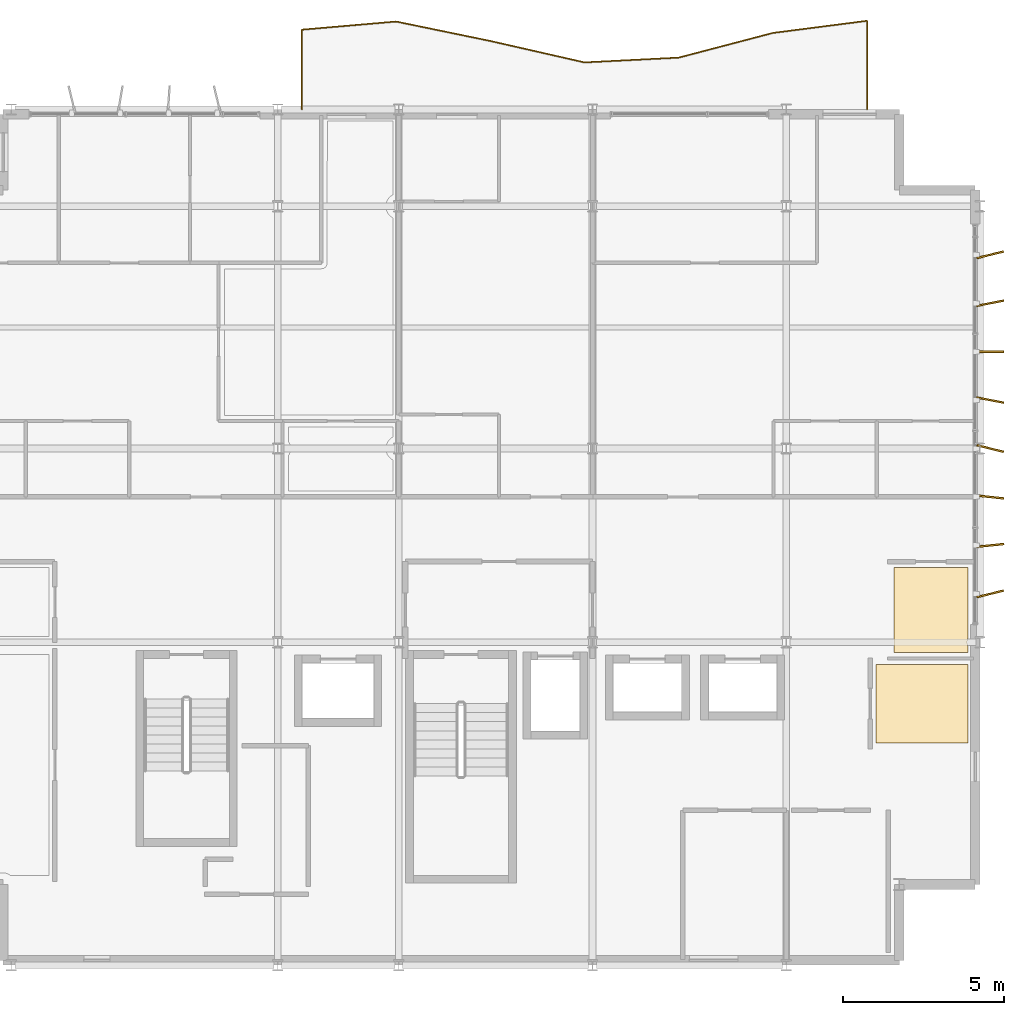
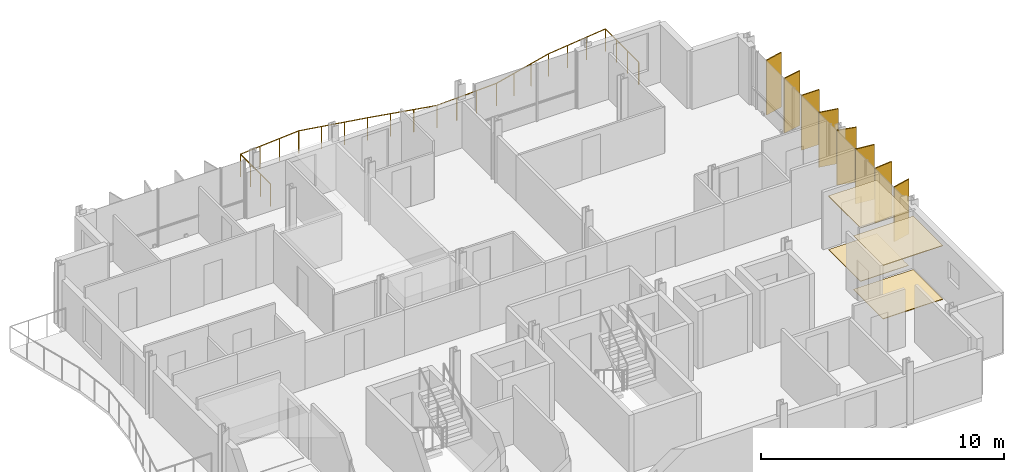
# One storey, part 13 of 13: 8 shading devices, 4 coverings, 1 railing.
"""IFC4 building model written with IfcOpenShell, lengths in metres."""

from ifc_helpers import new_model, si_unit, direction, frame, origin, origin_2d, place, context, subcontext, project, spatial, polyline, rectangle, circle, outline, extrude, material, layer, layer_set, type_object, element, save


model = new_model("IFC4")

# Units and contexts
model_context = context("Model", 3, precision=1e-05, world=origin(), true_north=direction((0.0, 1.0)))
body_context = subcontext(model_context, "Body", "Model", "MODEL_VIEW")
ifc_project = project(units=[si_unit("LENGTHUNIT", "METRE"), si_unit("AREAUNIT", "SQUARE_METRE"), si_unit("VOLUMEUNIT", "CUBIC_METRE"), si_unit("PLANEANGLEUNIT", "RADIAN"), si_unit("MASSUNIT", "GRAM", prefix="KILO")], contexts=[model_context])

# Site, building, storey
site_placement = place(None, origin())
site = spatial("IfcSite", under=ifc_project, at=site_placement, CompositionType="ELEMENT")
building_placement = place(site_placement, origin())
building = spatial("IfcBuilding", under=site, at=building_placement, Name="Brevholm Reach", CompositionType="ELEMENT")
storey_placement = place(building_placement, frame((0.0, 0.0, 224.199951171875)))
storey = spatial("IfcBuildingStorey", under=building, at=storey_placement, Name="L68", CompositionType="ELEMENT", Elevation=224.199951171875)

# Coverings
ifc_material_1 = material(Name="Perforated Mineral-Fibre Class-A Acoustic Suspended Ceiling", Category="gypsum")
ifc_layer_1 = layer(ifc_material_1, 0.044921875)
ifc_layer_set_1 = layer_set([ifc_layer_1], Name="Perforated Mineral-Fibre Class-A Acoustic Suspended Ceiling")
covering_type_1 = type_object("IfcCoveringType", Name="COV-CLG-AC", PredefinedType="CEILING", material=ifc_layer_set_1)
covering_1_placement = place(storey_placement, frame((0.0, 0.0, 2.675048828125)))
element("IfcCovering", 1, at=covering_1_placement, inside=storey, type_object=covering_type_1, Name="L68 Suspended Ceiling L68-21", PredefinedType="CEILING", context=body_context, shape_type="SweptSolid", body=[
    extrude(outline(polyline([(57.330078125, 12.31591796875), (59.6201171875, 12.31591796875), (59.6201171875, 10.123779296875), (59.6171875, 10.1162109375), (59.607666015625, 10.077880859375), (59.601806640625, 10.039306640625), (59.60009765625, 10.0), (59.601806640625, 9.960693359375), (59.607666015625, 9.922119140625), (59.6171875, 9.8837890625), (59.6201171875, 9.876220703125), (59.6201171875, 9.68408203125), (57.330078125, 9.68408203125), (57.330078125, 12.31591796875)])), origin(), (0.0, 0.0, 1.0), 0.044921875),
])
ifc_material_2 = material(Name="Moisture-Resistant Skimmed Gypsum Plasterboard Ceiling", Category="gypsum")
ifc_layer_2 = layer(ifc_material_2, 0.030029296875)
ifc_layer_set_2 = layer_set([ifc_layer_2], Name="Moisture-Resistant Skimmed Gypsum Plasterboard Ceiling")
covering_type_2 = type_object("IfcCoveringType", Name="COV-CLG-GYP", PredefinedType="CEILING", material=ifc_layer_set_2)
covering_2_placement = place(storey_placement, frame((0.0, 0.0, 2.68994140625)))
element("IfcCovering", 2, at=covering_2_placement, inside=storey, type_object=covering_type_2, Name="L68 Suspended Ceiling L68-19", PredefinedType="CEILING", context=body_context, shape_type="SweptSolid", body=[
    extrude(outline(polyline([(59.6201171875, 9.320068359375), (59.6201171875, 6.8798828125), (56.783935546875, 6.8798828125), (56.783935546875, 9.320068359375), (59.6201171875, 9.320068359375)])), origin(), (0.0, 0.0, 1.0), 0.030029296875),
])
ifc_material_3 = material(Name="Engineered European Oak Acoustic Plank Flooring", Category="timber")
ifc_layer_3 = layer(ifc_material_3, 0.02197265625)
ifc_layer_set_3 = layer_set([ifc_layer_3], Name="Engineered European Oak Acoustic Plank Flooring")
covering_type_3 = type_object("IfcCoveringType", Name="COV-FLR-OAK", PredefinedType="FLOORING", material=ifc_layer_set_3)
covering_3_placement = place(storey_placement, origin())
element("IfcCovering", 3, at=covering_3_placement, inside=storey, type_object=covering_type_3, Name="L68 Floor Finish L68-21", PredefinedType="FLOORING", context=body_context, shape_type="SweptSolid", body=[
    extrude(outline(polyline([(57.330078125, 12.31591796875), (59.6201171875, 12.31591796875), (59.6201171875, 10.123779296875), (59.6171875, 10.1162109375), (59.607666015625, 10.077880859375), (59.601806640625, 10.039306640625), (59.60009765625, 10.0), (59.601806640625, 9.960693359375), (59.607666015625, 9.922119140625), (59.6171875, 9.8837890625), (59.6201171875, 9.876220703125), (59.6201171875, 9.68408203125), (57.330078125, 9.68408203125), (57.330078125, 12.31591796875)])), origin(), (0.0, 0.0, 1.0), 0.02197265625),
])
ifc_material_4 = material(Name="Honed Portland-Aggregate Resin Terrazzo Flooring", Category="concrete")
ifc_layer_4 = layer(ifc_material_4, 0.031982421875)
ifc_layer_set_4 = layer_set([ifc_layer_4], Name="Honed Portland-Aggregate Resin Terrazzo Flooring")
covering_type_4 = type_object("IfcCoveringType", Name="COV-FLR-TRZ", PredefinedType="FLOORING", material=ifc_layer_set_4)
covering_4_placement = place(storey_placement, origin())
element("IfcCovering", 4, at=covering_4_placement, inside=storey, type_object=covering_type_4, Name="L68 Floor Finish L68-19", PredefinedType="FLOORING", context=body_context, shape_type="SweptSolid", body=[
    extrude(outline(polyline([(59.6201171875, 9.320068359375), (59.6201171875, 6.8798828125), (56.783935546875, 6.8798828125), (56.783935546875, 9.320068359375), (59.6201171875, 9.320068359375)])), origin(), (0.0, 0.0, 1.0), 0.031982421875),
])

# Railing
ifc_material_5 = material(Name="Brushed Stainless Steel EN 1.4401 and Laminated Glass", Category="steel")
railing_type = type_object("IfcRailingType", Name="RAL-BALC-1150", PredefinedType="BALUSTRADE", material=ifc_material_5)
railing_placement = place(storey_placement, frame((56.5, 26.5, 0.0)))
element("IfcRailing", 5, at=railing_placement, inside=storey, type_object=railing_type, Name="L68 Guard Balustrade RAL-L68-BAL-NE", PredefinedType="BALUSTRADE", context=body_context, shape_type="SweptSolid", body=[
    extrude(circle(Radius=0.02392578125, at=origin_2d()), frame((0.0, 0.0, 1.1259765625), z_axis=(0.0, 1.0, 0.0), x_axis=(-1.0, 0.0, 0.0)), (0.0, 0.0, 1.0), 2.746337890625),
    extrude(circle(Radius=0.02392578125, at=origin_2d()), frame((0.0, 2.746337890625, 1.1259765625), z_axis=(-0.991815212116, -0.12768157665, 0.0), x_axis=(0.12768157665, -0.991815212116, 0.0)), (0.0, 0.0, 1.0), 2.94091796875),
    extrude(circle(Radius=0.02392578125, at=origin_2d()), frame((-2.916748046875, 2.370849609375, 1.1259765625), z_axis=(-0.967306983138, -0.25360836022, 0.0), x_axis=(0.25360836022, -0.967306983138, 0.0)), (0.0, 0.0, 1.0), 3.01513671875),
    extrude(circle(Radius=0.02392578125, at=origin_2d()), frame((-5.833251953125, 1.606201171875, 1.1259765625), z_axis=(-0.998720239463, -0.050575520622, 0.0), x_axis=(0.050575520622, -0.998720239463, 0.0)), (0.0, 0.0, 1.0), 2.92041015625),
    extrude(circle(Radius=0.02392578125, at=origin_2d()), frame((-8.75, 1.45849609375, 1.1259765625), z_axis=(-0.975083925705, 0.221836286102, 0.0), x_axis=(-0.221836286102, -0.975083925705, 0.0)), (0.0, 0.0, 1.0), 2.9912109375),
    extrude(circle(Radius=0.02392578125, at=origin_2d()), frame((-11.666748046875, 2.1220703125, 1.1259765625), z_axis=(-0.979367411888, 0.202087784221, 0.0), x_axis=(-0.202087784221, -0.979367411888, 0.0)), (0.0, 0.0, 1.0), 2.97802734375),
    extrude(circle(Radius=0.02392578125, at=origin_2d()), frame((-14.583251953125, 2.723876953125, 1.1259765625), z_axis=(-0.996282713287, -0.086143805376, 0.0), x_axis=(0.086143805376, -0.996282713287, 0.0)), (0.0, 0.0, 1.0), 2.927734375),
    extrude(circle(Radius=0.02392578125, at=origin_2d()), frame((-17.5, 2.4716796875, 1.1259765625), z_axis=(0.0, -1.0, 0.0), x_axis=(1.0, 0.0, 0.0)), (0.0, 0.0, 1.0), 2.4716796875),
    extrude(circle(Radius=0.02099609375, at=origin_2d()), origin(), (0.0, 0.0, 1.0), 1.101806640625),
    extrude(circle(Radius=0.02099609375, at=origin_2d()), frame((0.0, 0.91552734375, 0.0)), (0.0, 0.0, 1.0), 1.101806640625),
    extrude(circle(Radius=0.02099609375, at=origin_2d()), frame((0.0, 1.830810546875, 0.0)), (0.0, 0.0, 1.0), 1.101806640625),
    extrude(circle(Radius=0.02099609375, at=origin_2d()), frame((0.0, 2.746337890625, 0.0)), (0.0, 0.0, 1.0), 1.101806640625),
    extrude(circle(Radius=0.02099609375, at=origin_2d()), frame((-0.97216796875, 2.62109375, 0.0)), (0.0, 0.0, 1.0), 1.101806640625),
    extrude(circle(Radius=0.02099609375, at=origin_2d()), frame((-1.944580078125, 2.49609375, 0.0)), (0.0, 0.0, 1.0), 1.101806640625),
    extrude(circle(Radius=0.02099609375, at=origin_2d()), frame((-2.916748046875, 2.370849609375, 0.0)), (0.0, 0.0, 1.0), 1.101806640625),
    extrude(circle(Radius=0.02099609375, at=origin_2d()), frame((-3.888916015625, 2.115966796875, 0.0)), (0.0, 0.0, 1.0), 1.101806640625),
    extrude(circle(Radius=0.02099609375, at=origin_2d()), frame((-4.861083984375, 1.861083984375, 0.0)), (0.0, 0.0, 1.0), 1.101806640625),
    extrude(circle(Radius=0.02099609375, at=origin_2d()), frame((-5.833251953125, 1.606201171875, 0.0)), (0.0, 0.0, 1.0), 1.101806640625),
    extrude(circle(Radius=0.02099609375, at=origin_2d()), frame((-6.805419921875, 1.556884765625, 0.0)), (0.0, 0.0, 1.0), 1.101806640625),
    extrude(circle(Radius=0.02099609375, at=origin_2d()), frame((-7.77783203125, 1.5078125, 0.0)), (0.0, 0.0, 1.0), 1.101806640625),
    extrude(circle(Radius=0.02099609375, at=origin_2d()), frame((-8.75, 1.45849609375, 0.0)), (0.0, 0.0, 1.0), 1.101806640625),
    extrude(circle(Radius=0.02099609375, at=origin_2d()), frame((-9.72216796875, 1.6796875, 0.0)), (0.0, 0.0, 1.0), 1.101806640625),
    extrude(circle(Radius=0.02099609375, at=origin_2d()), frame((-10.694580078125, 1.90087890625, 0.0)), (0.0, 0.0, 1.0), 1.101806640625),
    extrude(circle(Radius=0.02099609375, at=origin_2d()), frame((-11.666748046875, 2.1220703125, 0.0)), (0.0, 0.0, 1.0), 1.101806640625),
    extrude(circle(Radius=0.02099609375, at=origin_2d()), frame((-12.638916015625, 2.32275390625, 0.0)), (0.0, 0.0, 1.0), 1.101806640625),
    extrude(circle(Radius=0.02099609375, at=origin_2d()), frame((-13.611083984375, 2.523193359375, 0.0)), (0.0, 0.0, 1.0), 1.101806640625),
    extrude(circle(Radius=0.02099609375, at=origin_2d()), frame((-14.583251953125, 2.723876953125, 0.0)), (0.0, 0.0, 1.0), 1.101806640625),
    extrude(circle(Radius=0.02099609375, at=origin_2d()), frame((-15.555419921875, 2.639892578125, 0.0)), (0.0, 0.0, 1.0), 1.101806640625),
    extrude(circle(Radius=0.02099609375, at=origin_2d()), frame((-16.52783203125, 2.5556640625, 0.0)), (0.0, 0.0, 1.0), 1.101806640625),
    extrude(circle(Radius=0.02099609375, at=origin_2d()), frame((-17.5, 2.4716796875, 0.0)), (0.0, 0.0, 1.0), 1.101806640625),
    extrude(circle(Radius=0.02099609375, at=origin_2d()), frame((-17.5, 1.647705078125, 0.0)), (0.0, 0.0, 1.0), 1.101806640625),
    extrude(circle(Radius=0.02099609375, at=origin_2d()), frame((-17.5, 0.823974609375, 0.0)), (0.0, 0.0, 1.0), 1.101806640625),
    extrude(circle(Radius=0.02099609375, at=origin_2d()), frame((-17.5, 0.0, 0.0)), (0.0, 0.0, 1.0), 1.101806640625),
])

# Shading devices
ifc_material_6 = material(Name="Perforated Champagne-Bronze Anodised Aluminium", Category="aluminium")
ifc_layer_5 = layer(ifc_material_6, 0.054931640625)
ifc_layer_set_5 = layer_set([ifc_layer_5], Name="Perforated Champagne-Bronze Anodised Aluminium")
shading_device_type = type_object("IfcShadingDeviceType", Name="SHD-FIN-850", PredefinedType="USERDEFINED", material=ifc_layer_set_5)
for number, where, z_axis, x_axis, name in (
    (6, (60.31494140625, 11.5, 0.070068359375), (0.0, 0.0, 1.0), (0.971940476857, 0.235226931805, 0.0), "L68 Perforated Solar Screen Fin 1"),
    (7, (60.31494140625, 13.0, 0.070068359375), (0.0, 0.0, 1.0), (0.994699228375, 0.102827258403, 0.0), "L68 Perforated Solar Screen Fin 2"),
    (8, (60.31494140625, 14.5, 0.070068359375), (0.0, 0.0, 1.0), (0.994063936142, -0.108797476363, 0.0), "L68 Perforated Solar Screen Fin 3"),
    (9, (60.31494140625, 16.0, 0.070068359375), (0.0, 0.0, 1.0), (0.971590441254, -0.236668575149, 0.0), "L68 Perforated Solar Screen Fin 4"),
    (10, (60.31494140625, 17.5, 0.070068359375), (0.0, 0.0, 1.0), (0.982205396702, -0.187809900403, 0.0), "L68 Perforated Solar Screen Fin 5"),
    (11, (60.31494140625, 19.0, 0.070068359375), (0.0, 0.0, 1.0), (0.999994443631, 0.003333572697, 0.0), "L68 Perforated Solar Screen Fin 6"),
    (12, (60.31494140625, 20.5, 0.070068359375), (0.0, 0.0, 1.0), (0.981413435404, 0.191905364199, 0.0), "L68 Perforated Solar Screen Fin 7"),
    (13, (60.31494140625, 22.0, 0.070068359375), (0.0, 0.0, 1.0), (0.971940476857, 0.235226931805, 0.0), "L68 Perforated Solar Screen Fin 8"),
):
    element("IfcShadingDevice", number, at=place(storey_placement, frame(where, z_axis=z_axis, x_axis=x_axis)), inside=storey, type_object=shading_device_type, Name=name, ObjectType="SCREEN", PredefinedType="USERDEFINED", context=body_context, shape_type="SweptSolid", body=[
        extrude(rectangle(XDim=0.85009765625, YDim=0.054931640625, at=origin_2d()), origin(), (0.0, 0.0, 1.0), 2.75),
    ])

save(model, "model.ifc")
